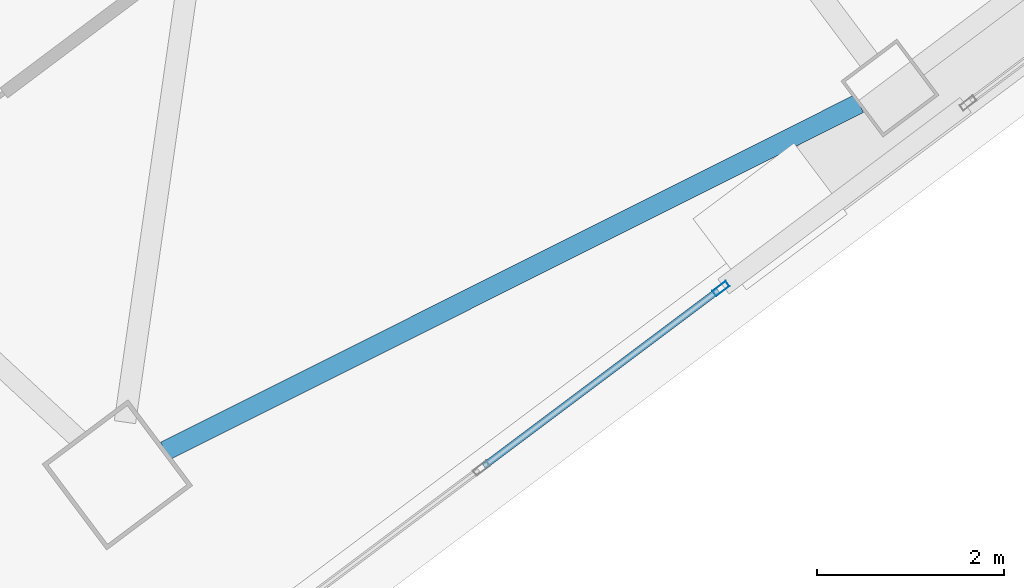
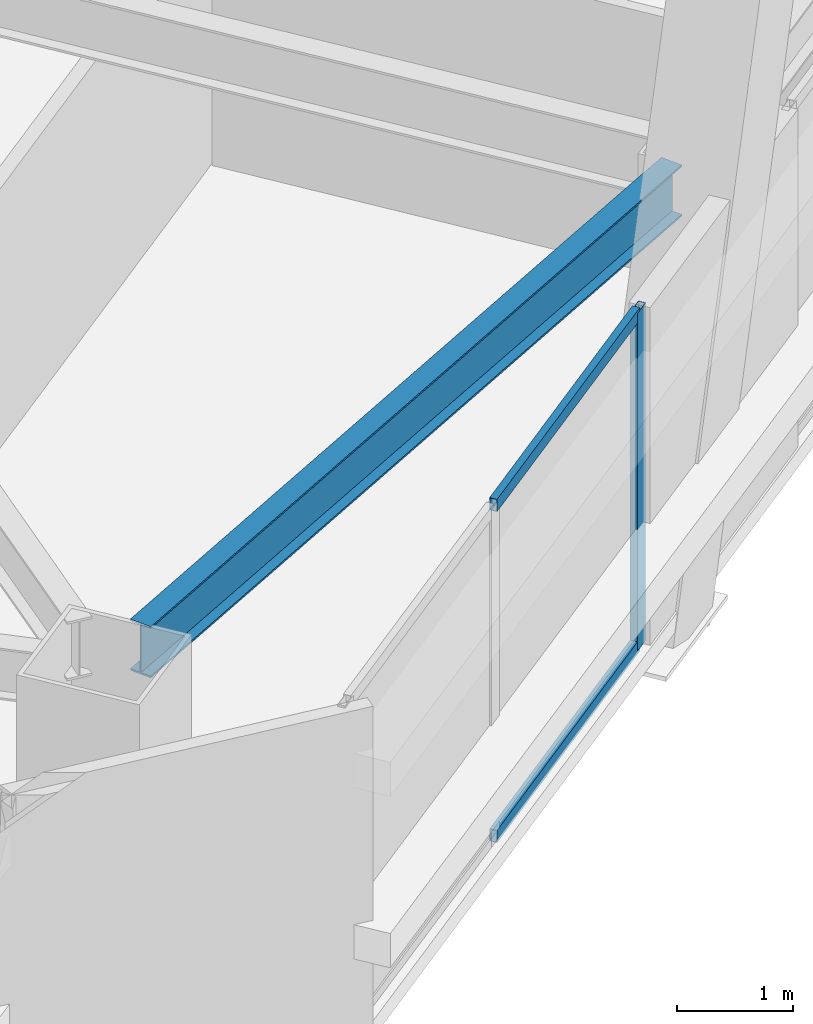
# One storey, part 26 of 55: 3 members, 1 beam, 1 element without a shape of its own.
"""IFC4 building model written with IfcOpenShell, lengths in metres."""

from ifc_helpers import new_model, si_unit, direction, frame, origin, origin_2d, place, context, subcontext, project, spatial, hollow_rectangle, i_section, extrude, material, material_profile, profile_set, type_object, element, aggregate, save


model = new_model("IFC4")

# Units and contexts
model_context = context("Model", 3, precision=1e-05, world=origin(), true_north=direction((0.0, 1.0)))
body_context = subcontext(model_context, "Body", "Model", "MODEL_VIEW")
ifc_project = project(units=[si_unit("LENGTHUNIT", "METRE"), si_unit("AREAUNIT", "SQUARE_METRE"), si_unit("VOLUMEUNIT", "CUBIC_METRE"), si_unit("PLANEANGLEUNIT", "RADIAN"), si_unit("MASSUNIT", "GRAM", prefix="KILO")], contexts=[model_context])

# Site, building, storey
site_placement = place(None, origin())
site = spatial("IfcSite", under=ifc_project, at=site_placement, CompositionType="ELEMENT")
building_placement = place(site_placement, origin())
building = spatial("IfcBuilding", under=site, at=building_placement, Name="Tashvorn Skyway Center", CompositionType="ELEMENT")
storey_placement = place(building_placement, frame((0.0, 0.0, 178.300048828125)))
storey = spatial("IfcBuildingStorey", under=building, at=storey_placement, Name="L48", CompositionType="ELEMENT", Elevation=178.300048828125)

# Beam
ifc_material_1 = material(Name="Steel ASTM A992 Grade 50", Category="steel")
ifc_material_profile_1 = material_profile(ifc_material_1, i_section(OverallWidth=0.2109375, OverallDepth=0.5390625, WebThickness=0.01171875, FlangeThickness=0.018798828125, at=origin_2d()), Name="W21X73")
ifc_profile_set_1 = profile_set([ifc_material_profile_1], Name="Steel ASTM A992 Grade 50")
beam_type = type_object("IfcBeamType", Name="BM-SPANDREL-W21X73", PredefinedType="SPANDREL", material=ifc_profile_set_1)
beam_placement = place(storey_placement, frame((111.609619140625, 11.955078125, 3.100341796875), z_axis=(0.894209637559, 0.447648438059, 0.0), x_axis=(-0.447648438059, 0.894209637559, 0.0)))
element("IfcBeam", 1, at=beam_placement, inside=storey, type_object=beam_type, Name="Tower 2 L48 Spandrel Beam 01", PredefinedType="SPANDREL", context=body_context, shape_type="SweptSolid", body=[
    extrude(i_section(OverallWidth=0.2109375, OverallDepth=0.5390625, WebThickness=0.01171875, FlangeThickness=0.018798828125, at=origin_2d()), origin(), (0.0, 0.0, 1.0), 8.308349609375),
])

# Curtain wall, members
ifc_material_2 = material(Name="Thermally broken bronze-anodized aluminium 6063-T6", Category="aluminium")
curtain_wall_type = type_object("IfcCurtainWallType", Name="CW-CW-Z4", PredefinedType="NOTDEFINED", material=ifc_material_2)
curtain_wall_placement = place(storey_placement, origin())
curtain_wall = element("IfcCurtainWall", 2, at=curtain_wall_placement, inside=storey, type_object=curtain_wall_type, Name="Tower 2 L48 South Unitised Curtain Wall Glazing Group 3", PredefinedType="NOTDEFINED")
ifc_material_profile_2 = material_profile(ifc_material_2, hollow_rectangle(XDim=0.070068359375, YDim=0.179931640625, WallThickness=0.00390625, at=origin_2d()), Name="ALU-MULL-70x180")
ifc_profile_set_2 = profile_set([ifc_material_profile_2], Name="Thermally broken bronze-anodized aluminium 6063-T6")
member_type_1 = type_object("IfcMemberType", Name="CWM-CW-Z4", PredefinedType="MULLION", material=ifc_profile_set_2)
member_1_placement = place(storey_placement, frame((117.56005859375, 13.695068359375, 0.0), z_axis=(0.0, 0.0, 1.0), x_axis=(0.600000000002, -0.799999999998, 0.0)))
member_1 = element("IfcMember", 3, at=member_1_placement, type_object=member_type_1, Name="CW-Z4 mullion 1", PredefinedType="MULLION", context=body_context, shape_type="SweptSolid", body=[
    extrude(hollow_rectangle(XDim=0.070068359375, YDim=0.179931640625, WallThickness=0.00390625, at=origin_2d()), origin(), (0.0, 0.0, 1.0), 3.550048828125),
])
ifc_material_profile_3 = material_profile(ifc_material_2, hollow_rectangle(XDim=0.070068359375, YDim=0.1298828125, WallThickness=0.00390625, at=origin_2d()), Name="ALU-TRAN-70x130")
ifc_profile_set_3 = profile_set([ifc_material_profile_3], Name="Thermally broken bronze-anodized aluminium 6063-T6")
member_type_2 = type_object("IfcMemberType", Name="CWT-CW-Z4", PredefinedType="USERDEFINED", material=ifc_profile_set_3)
member_2_placement = place(storey_placement, frame((117.531982421875, 13.674072265625, 0.034912109375), z_axis=(-0.799990655127, -0.600012459628, 0.0), x_axis=(0.600012459628, -0.799990655127, 0.0)))
member_2 = element("IfcMember", 4, at=member_2_placement, type_object=member_type_2, Name="CW-Z4 transom 1.1", ObjectType="TRANSOM", PredefinedType="USERDEFINED", context=body_context, shape_type="SweptSolid", body=[
    extrude(hollow_rectangle(XDim=0.070068359375, YDim=0.1298828125, WallThickness=0.00390625, at=origin_2d()), origin(), (0.0, 0.0, 1.0), 3.135009765625),
])
member_3_placement = place(storey_placement, frame((117.531982421875, 13.674072265625, 3.514892578125), z_axis=(-0.799990655127, -0.600012459628, 0.0), x_axis=(0.600012459628, -0.799990655127, 0.0)))
member_3 = element("IfcMember", 5, at=member_3_placement, type_object=member_type_2, Name="CW-Z4 transom 1.2", ObjectType="TRANSOM", PredefinedType="USERDEFINED", context=body_context, shape_type="SweptSolid", body=[
    extrude(hollow_rectangle(XDim=0.070068359375, YDim=0.1298828125, WallThickness=0.00390625, at=origin_2d()), origin(), (0.0, 0.0, 1.0), 3.135009765625),
])
aggregate(curtain_wall, [member_1, member_2, member_3])

save(model, "model.ifc")
